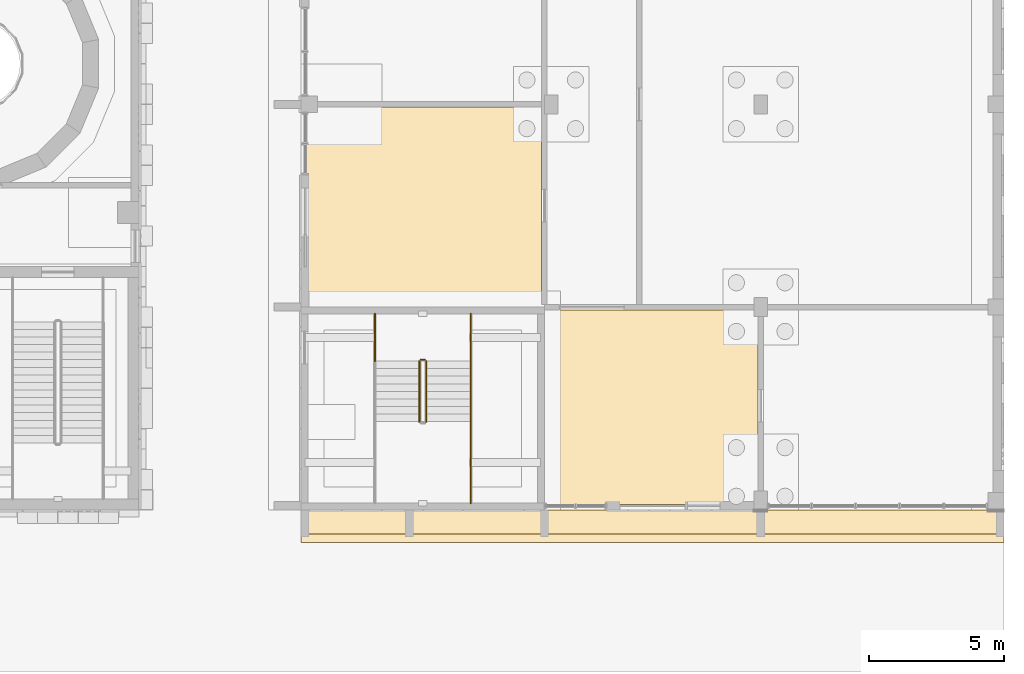
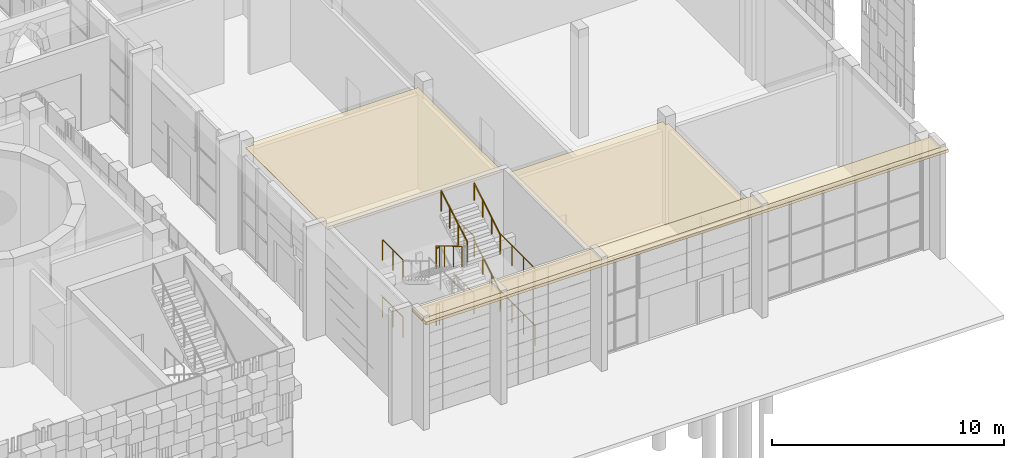
# One storey, part 102 of 125: 12 railings, 4 coverings.
"""IFC4 building model written with IfcOpenShell, lengths in metres."""

from ifc_helpers import new_model, si_unit, direction, frame, origin, origin_2d, place, context, subcontext, project, spatial, polyline, circle, outline, extrude, material, layer, layer_set, type_object, element, save


model = new_model("IFC4")

# Units and contexts
model_context = context("Model", 3, precision=1e-05, world=origin(), true_north=direction((0.0, 1.0)))
body_context = subcontext(model_context, "Body", "Model", "MODEL_VIEW")
ifc_project = project(units=[si_unit("LENGTHUNIT", "METRE"), si_unit("AREAUNIT", "SQUARE_METRE"), si_unit("VOLUMEUNIT", "CUBIC_METRE"), si_unit("PLANEANGLEUNIT", "RADIAN"), si_unit("MASSUNIT", "GRAM", prefix="KILO")], contexts=[model_context])

# Site, building, storey
site_placement = place(None, origin())
site = spatial("IfcSite", under=ifc_project, at=site_placement, CompositionType="ELEMENT")
building_placement = place(site_placement, origin())
building = spatial("IfcBuilding", under=site, at=building_placement, Name="Sun Court Science Centre", CompositionType="ELEMENT")
storey_placement = place(building_placement, origin())
storey = spatial("IfcBuildingStorey", under=building, at=storey_placement, Name="L00", CompositionType="ELEMENT", Elevation=0.0)

# Coverings
ifc_material_1 = material(Name="Gypsum board")
ifc_layer_1 = layer(ifc_material_1, 0.030029296875)
ifc_layer_set_1 = layer_set([ifc_layer_1], Name="Gypsum board")
covering_type_1 = type_object("IfcCoveringType", Name="Ceiling suspended 600 module", PredefinedType="CEILING", material=ifc_layer_set_1)
covering_1_placement = place(storey_placement, frame((0.0, 0.0, 5.27001953125)))
element("IfcCovering", 1, at=covering_1_placement, inside=storey, type_object=covering_type_1, Name="L00-043 ceiling", PredefinedType="CEILING", context=body_context, shape_type="SweptSolid", body=[
    extrude(outline(polyline([(87.10009765625, 6.199951171875), (87.10009765625, 13.39990234375), (94.75, 13.39990234375), (94.75, 13.14990234375), (94.89990234375, 13.14990234375), (94.89990234375, 6.699951171875), (94.75, 6.699951171875), (94.75, 6.199951171875), (87.10009765625, 6.199951171875)])), origin(), (0.0, 0.0, 1.0), 0.030029296875),
])
covering_2_placement = place(storey_placement, frame((0.0, 0.0, 5.27001953125)))
element("IfcCovering", 2, at=covering_2_placement, inside=storey, type_object=covering_type_1, Name="L00-045 ceiling", PredefinedType="CEILING", context=body_context, shape_type="SweptSolid", body=[
    extrude(outline(polyline([(78.60009765625, 20.89990234375), (86.89990234375, 20.89990234375), (86.89990234375, 13.60009765625), (78.199951171875, 13.60009765625), (78.199951171875, 20.699951171875), (78.60009765625, 20.699951171875), (78.60009765625, 20.89990234375)])), origin(), (0.0, 0.0, 1.0), 0.030029296875),
])

# Railings
ifc_material_2 = material(Name="Steel S275", Category="steel")
railing_type_1 = type_object("IfcRailingType", Name="Guard 1100 steel balustrade", PredefinedType="GUARDRAIL", material=ifc_material_2)
railing_1_placement = place(storey_placement, frame((84.27294921875, 9.261962890625, 1.5)))
element("IfcRailing", 3, at=railing_1_placement, inside=storey, type_object=railing_type_1, Name="L00 SL1 stair guard 4", PredefinedType="GUARDRAIL", context=body_context, shape_type="SweptSolid", body=[
    extrude(circle(Radius=0.02392578125, at=origin_2d()), frame((0.0, 0.0, 1.076171875), z_axis=(0.0, -1.0, 0.0), x_axis=(1.0, 0.0, 0.0)), (0.0, 0.0, 1.0), 3.011962890625),
    extrude(circle(Radius=0.02099609375, at=origin_2d()), origin(), (0.0, 0.0, 1.0), 1.052001953125),
    extrude(circle(Radius=0.02099609375, at=origin_2d()), frame((0.0, -1.00390625, 0.0)), (0.0, 0.0, 1.0), 1.052001953125),
    extrude(circle(Radius=0.02099609375, at=origin_2d()), frame((0.0, -2.008056640625, 0.0)), (0.0, 0.0, 1.0), 1.052001953125),
    extrude(circle(Radius=0.02099609375, at=origin_2d()), frame((0.0, -3.011962890625, 0.0)), (0.0, 0.0, 1.0), 1.052001953125),
])
railing_2_placement = place(storey_placement, frame((82.425048828125, 11.552001953125, 3.0)))
element("IfcRailing", 4, at=railing_2_placement, inside=storey, type_object=railing_type_1, Name="L00 SL1 stair guard 6", PredefinedType="GUARDRAIL", context=body_context, shape_type="SweptSolid", body=[
    extrude(circle(Radius=0.02392578125, at=origin_2d()), frame((0.0, 0.0, 1.076171875), z_axis=(1.0, 0.0, 0.0), x_axis=(0.0, 1.0, 0.0)), (0.0, 0.0, 1.0), 0.14990234375),
    extrude(circle(Radius=0.02099609375, at=origin_2d()), origin(), (0.0, 0.0, 1.0), 1.052001953125),
    extrude(circle(Radius=0.02099609375, at=origin_2d()), frame((0.14990234375, 0.0, 0.0)), (0.0, 0.0, 1.0), 1.052001953125),
])
for number, where, name in (
    (5, (80.72705078125, 13.25, 3.0), "L00 SL1 stair guard 7"),
    (6, (84.27294921875, 13.25, 3.0), "L00 SL1 stair guard 8"),
):
    element("IfcRailing", number, at=place(storey_placement, frame(where)), inside=storey, type_object=railing_type_1, Name=name, PredefinedType="GUARDRAIL", context=body_context, shape_type="SweptSolid", body=[
        extrude(circle(Radius=0.02392578125, at=origin_2d()), frame((0.0, 0.0, 1.076171875), z_axis=(0.0, -1.0, 0.0), x_axis=(1.0, 0.0, 0.0)), (0.0, 0.0, 1.0), 1.748046875),
        extrude(circle(Radius=0.02099609375, at=origin_2d()), origin(), (0.0, 0.0, 1.0), 1.052001953125),
        extrude(circle(Radius=0.02099609375, at=origin_2d()), frame((0.0, -0.8740234375, 0.0)), (0.0, 0.0, 1.0), 1.052001953125),
        extrude(circle(Radius=0.02099609375, at=origin_2d()), frame((0.0, -1.748046875, 0.0)), (0.0, 0.0, 1.0), 1.052001953125),
    ])
railing_3_placement = place(storey_placement, frame((82.375, 11.501953125, 3.166748046875)))
element("IfcRailing", 7, at=railing_3_placement, inside=storey, type_object=railing_type_1, Name="L00 SL1 stair guard 9", PredefinedType="GUARDRAIL", context=body_context, shape_type="SweptSolid", body=[
    extrude(circle(Radius=0.02392578125, at=origin_2d()), frame((0.0, 0.0, 1.076171875), z_axis=(0.0, -0.859305625298, 0.511462454469), x_axis=(1.0, 0.0, 0.0)), (0.0, 0.0, 1.0), 2.606689453125),
    extrude(circle(Radius=0.02099609375, at=origin_2d()), origin(), (0.0, 0.0, 1.0), 1.052001953125),
    extrude(circle(Radius=0.02099609375, at=origin_2d()), frame((0.0, -0.74658203125, 0.4443359375)), (0.0, 0.0, 1.0), 1.052001953125),
    extrude(circle(Radius=0.02099609375, at=origin_2d()), frame((0.0, -1.493408203125, 0.888916015625)), (0.0, 0.0, 1.0), 1.052001953125),
    extrude(circle(Radius=0.02099609375, at=origin_2d()), frame((0.0, -2.239990234375, 1.333251953125)), (0.0, 0.0, 1.0), 1.052001953125),
])
railing_4_placement = place(storey_placement, frame((84.27294921875, 9.261962890625, 4.5)))
element("IfcRailing", 8, at=railing_4_placement, inside=storey, type_object=railing_type_1, Name="L00 SL1 stair guard 12", PredefinedType="GUARDRAIL", context=body_context, shape_type="SweptSolid", body=[
    extrude(circle(Radius=0.02392578125, at=origin_2d()), frame((0.0, 0.0, 1.076171875), z_axis=(0.0, -1.0, 0.0), x_axis=(1.0, 0.0, 0.0)), (0.0, 0.0, 1.0), 3.011962890625),
    extrude(circle(Radius=0.02099609375, at=origin_2d()), origin(), (0.0, 0.0, 1.0), 1.052001953125),
    extrude(circle(Radius=0.02099609375, at=origin_2d()), frame((0.0, -1.00390625, 0.0)), (0.0, 0.0, 1.0), 1.052001953125),
    extrude(circle(Radius=0.02099609375, at=origin_2d()), frame((0.0, -2.008056640625, 0.0)), (0.0, 0.0, 1.0), 1.052001953125),
    extrude(circle(Radius=0.02099609375, at=origin_2d()), frame((0.0, -3.011962890625, 0.0)), (0.0, 0.0, 1.0), 1.052001953125),
])
railing_5_placement = place(storey_placement, frame((82.625, 9.261962890625, 4.666748046875)))
element("IfcRailing", 9, at=railing_5_placement, inside=storey, type_object=railing_type_1, Name="L00 SL1 stair guard 13", PredefinedType="GUARDRAIL", context=body_context, shape_type="SweptSolid", body=[
    extrude(circle(Radius=0.02392578125, at=origin_2d()), frame((0.0, 0.0, 1.076171875), z_axis=(0.0, 0.859305625298, 0.511462454469), x_axis=(-1.0, 0.0, 0.0)), (0.0, 0.0, 1.0), 2.606689453125),
    extrude(circle(Radius=0.02099609375, at=origin_2d()), origin(), (0.0, 0.0, 1.0), 1.052001953125),
    extrude(circle(Radius=0.02099609375, at=origin_2d()), frame((0.0, 0.74658203125, 0.4443359375)), (0.0, 0.0, 1.0), 1.052001953125),
    extrude(circle(Radius=0.02099609375, at=origin_2d()), frame((0.0, 1.493408203125, 0.888916015625)), (0.0, 0.0, 1.0), 1.052001953125),
    extrude(circle(Radius=0.02099609375, at=origin_2d()), frame((0.0, 2.239990234375, 1.333251953125)), (0.0, 0.0, 1.0), 1.052001953125),
])
railing_6_placement = place(storey_placement, frame((82.425048828125, 11.552001953125, 0.0)))
element("IfcRailing", 10, at=railing_6_placement, inside=storey, type_object=railing_type_1, Name="L00 SL1 stair guard 14", PredefinedType="GUARDRAIL", context=body_context, shape_type="SweptSolid", body=[
    extrude(circle(Radius=0.02392578125, at=origin_2d()), frame((0.0, 0.0, 1.076171875), z_axis=(1.0, 0.0, 0.0), x_axis=(0.0, 1.0, 0.0)), (0.0, 0.0, 1.0), 0.14990234375),
    extrude(circle(Radius=0.02099609375, at=origin_2d()), origin(), (0.0, 0.0, 1.0), 1.052001953125),
    extrude(circle(Radius=0.02099609375, at=origin_2d()), frame((0.14990234375, 0.0, 0.0)), (0.0, 0.0, 1.0), 1.052001953125),
])
for number, where, name in (
    (11, (80.72705078125, 13.25, 0.0), "L00 SL1 stair guard 15"),
    (12, (84.27294921875, 13.25, 0.0), "L00 SL1 stair guard 16"),
):
    element("IfcRailing", number, at=place(storey_placement, frame(where)), inside=storey, type_object=railing_type_1, Name=name, PredefinedType="GUARDRAIL", context=body_context, shape_type="SweptSolid", body=[
        extrude(circle(Radius=0.02392578125, at=origin_2d()), frame((0.0, 0.0, 1.076171875), z_axis=(0.0, -1.0, 0.0), x_axis=(1.0, 0.0, 0.0)), (0.0, 0.0, 1.0), 1.748046875),
        extrude(circle(Radius=0.02099609375, at=origin_2d()), origin(), (0.0, 0.0, 1.0), 1.052001953125),
        extrude(circle(Radius=0.02099609375, at=origin_2d()), frame((0.0, -0.8740234375, 0.0)), (0.0, 0.0, 1.0), 1.052001953125),
        extrude(circle(Radius=0.02099609375, at=origin_2d()), frame((0.0, -1.748046875, 0.0)), (0.0, 0.0, 1.0), 1.052001953125),
    ])
ifc_material_3 = material(Name="Stainless steel", Category="steel")
railing_type_2 = type_object("IfcRailingType", Name="Handrail 900 stainless", PredefinedType="HANDRAIL", material=ifc_material_3)
for number, where, name in (
    (13, (84.27294921875, 9.261962890625, 1.666748046875), "L00 SL1 stair handrail 2"),
    (14, (84.27294921875, 9.261962890625, 4.666748046875), "L00 SL1 stair handrail 4"),
):
    element("IfcRailing", number, at=place(storey_placement, frame(where)), inside=storey, type_object=railing_type_2, Name=name, PredefinedType="HANDRAIL", context=body_context, shape_type="SweptSolid", body=[
        extrude(circle(Radius=0.02392578125, at=origin_2d()), frame((0.0, 0.0, 0.8759765625), z_axis=(0.0, 0.859305625298, 0.511462454469), x_axis=(-1.0, 0.0, 0.0)), (0.0, 0.0, 1.0), 2.606689453125),
        extrude(circle(Radius=0.02099609375, at=origin_2d()), origin(), (0.0, 0.0, 1.0), 0.851806640625),
        extrude(circle(Radius=0.02099609375, at=origin_2d()), frame((0.0, 0.74658203125, 0.4443359375)), (0.0, 0.0, 1.0), 0.851806640625),
        extrude(circle(Radius=0.02099609375, at=origin_2d()), frame((0.0, 1.493408203125, 0.888916015625)), (0.0, 0.0, 1.0), 0.851806640625),
        extrude(circle(Radius=0.02099609375, at=origin_2d()), frame((0.0, 2.239990234375, 1.333251953125)), (0.0, 0.0, 1.0), 0.851806640625),
    ])

# Coverings
ifc_material_4 = material(Name="Red sandstone", Category="masonry")
ifc_layer_2 = layer(ifc_material_4, 0.14990234375)
ifc_layer_set_2 = layer_set([ifc_layer_2], Name="Red sandstone")
covering_type_2 = type_object("IfcCoveringType", Name="Sandstone chhajja eave 1200", PredefinedType="CLADDING", material=ifc_layer_set_2)
covering_3_placement = place(storey_placement, frame((0.0, 0.0, 5.669921875)))
element("IfcCovering", 15, at=covering_3_placement, inside=storey, type_object=covering_type_2, Name="Chhajja eave south face L00", PredefinedType="CLADDING", context=body_context, shape_type="SweptSolid", body=[
    extrude(outline(polyline([(78.0, 6.0), (104.0, 6.0), (104.0, 4.800048828125), (78.0, 4.800048828125), (78.0, 6.0)])), origin(), (0.0, 0.0, 1.0), 0.150146484375),
])
ifc_material_5 = material(Name="Red sandstone", Category="masonry")
ifc_layer_3 = layer(ifc_material_5, 0.1201171875)
ifc_layer_set_3 = layer_set([ifc_layer_3], Name="Red sandstone")
covering_type_3 = type_object("IfcCoveringType", Name="Sandstone chhajja eave 900", PredefinedType="CLADDING", material=ifc_layer_set_3)
covering_4_placement = place(storey_placement, frame((0.0, 0.0, 5.699951171875)))
element("IfcCovering", 16, at=covering_4_placement, inside=storey, type_object=covering_type_3, Name="Chhajja eave south face L00", PredefinedType="CLADDING", context=body_context, shape_type="SweptSolid", body=[
    extrude(outline(polyline([(104.0, 6.0), (78.0, 6.0), (78.0, 5.10009765625), (104.0, 5.10009765625), (104.0, 6.0)])), origin(), (0.0, 0.0, 1.0), 0.1201171875),
])

save(model, "model.ifc")
